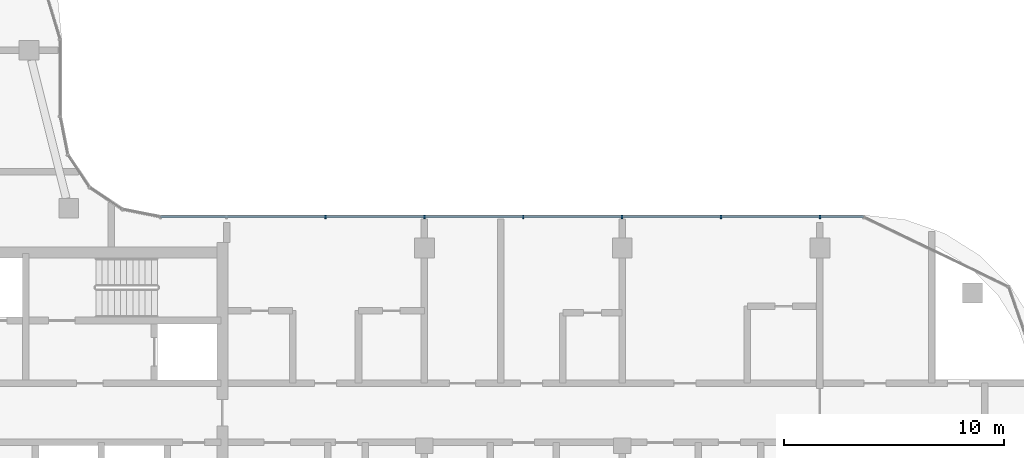
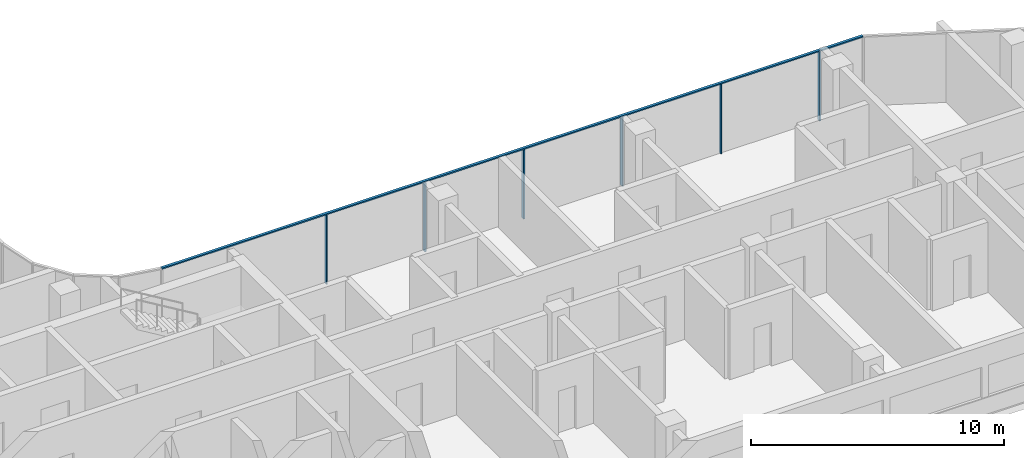
# One storey, part 4 of 19: 7 members, 1 element without a shape of its own.
"""IFC4 building model written with IfcOpenShell, lengths in metres."""

import ifcopenshell
import ifcopenshell.guid

model = None  # the IFC model being written
_history = None  # IfcOwnerHistory: only IFC2X3 demands one
_inside = {}  # id of a spatial element -> (the spatial element, [elements in it])
_under = {}  # id of a project, library or spatial element -> (it, [spatial elements below it])
_declared = {}  # id of a project -> (the project, [libraries it declares])
_typed = {}  # id of a type object -> (the type object, [elements of that type])
_made_of = {}  # id of a material, layer set ... -> (it, [elements and type objects made of it])


def new_model(schema):
    """Start an empty IFC model of exactly this schema.

    Asked for "IFC4X3", IfcOpenShell would pick the latest addendum, in which some entities
    have other attributes; the version numbers below select the first issue.
    IFC2X3 requires an IfcOwnerHistory on every rooted entity: one is made here for all.
    """
    global model, _history
    if schema == "IFC4X3":
        model = ifcopenshell.file(schema_version=(4, 3, 0, 0))
    else:
        model = ifcopenshell.file(schema=schema)
    _inside.clear()
    _under.clear()
    _declared.clear()
    _typed.clear()
    _made_of.clear()
    _history = None
    if model.schema == "IFC2X3":
        org = make("IfcOrganization", Name="unknown")
        user = make(
            "IfcPersonAndOrganization",
            ThePerson=make("IfcPerson", FamilyName="unknown"),
            TheOrganization=org,
        )
        app = make(
            "IfcApplication",
            ApplicationDeveloper=org,
            Version="unknown",
            ApplicationFullName="unknown",
            ApplicationIdentifier="unknown",
        )
        _history = make(
            "IfcOwnerHistory",
            OwningUser=user,
            OwningApplication=app,
            ChangeAction="ADDED",
            CreationDate=0,
        )
    return model


def make(cls, **values):
    """One entity of the class cls with the attributes given. An attribute that is None is left unset."""
    return model.create_entity(
        cls, **{name: value for name, value in values.items() if value is not None}
    )


def rooted(cls, **values):
    """An entity with a GlobalId (a new one), such as an element, a storey or a relation."""
    return make(cls, GlobalId=ifcopenshell.guid.new(), OwnerHistory=_history, **values)


def si_unit(unit_type, name, prefix=None):
    """IfcSIUnit, for example si_unit("LENGTHUNIT", "METRE", prefix="MILLI")."""
    return make("IfcSIUnit", UnitType=unit_type, Prefix=prefix, Name=name)


def assignment(units):
    """IfcUnitAssignment: the units of a project."""
    return None if units is None else make("IfcUnitAssignment", Units=units)


def point(xyz):
    """IfcCartesianPoint."""
    return None if xyz is None else make("IfcCartesianPoint", Coordinates=xyz)


def direction(xyz):
    """IfcDirection."""
    return None if xyz is None else make("IfcDirection", DirectionRatios=xyz)


def frame(location, z_axis=None, x_axis=None):
    """IfcAxis2Placement3D, a coordinate frame: its origin and axes. An axis left out is left unset."""
    return make(
        "IfcAxis2Placement3D",
        Location=point(location),
        Axis=direction(z_axis),
        RefDirection=direction(x_axis),
    )


def frame_2d(location, x_axis=None):
    """IfcAxis2Placement2D, a coordinate frame in the plane: its origin and x axis."""
    return make(
        "IfcAxis2Placement2D", Location=point(location), RefDirection=direction(x_axis)
    )


def origin():
    """The frame at (0, 0, 0) with its axes left unset."""
    return frame((0.0, 0.0, 0.0))


def origin_2d():
    """The frame at (0, 0) in the plane with its x axis left unset."""
    return frame_2d((0.0, 0.0))


def place(relative_to, where):
    """IfcLocalPlacement: puts the frame where relative to a parent placement (None: the world)."""
    return make(
        "IfcLocalPlacement", PlacementRelTo=relative_to, RelativePlacement=where
    )


def context(
    kind, dimensions, precision=None, world=None, true_north=None, identifier=None
):
    """IfcGeometricRepresentationContext, for example the 3D "Model" context."""
    return make(
        "IfcGeometricRepresentationContext",
        ContextIdentifier=identifier,
        ContextType=kind,
        CoordinateSpaceDimension=dimensions,
        Precision=precision,
        WorldCoordinateSystem=world,
        TrueNorth=true_north,
    )


def subcontext(parent, identifier, kind, view, scale=None):
    """IfcGeometricRepresentationSubContext, for example "Body" below "Model"."""
    return make(
        "IfcGeometricRepresentationSubContext",
        ContextIdentifier=identifier,
        ContextType=kind,
        ParentContext=parent,
        TargetScale=scale,
        TargetView=view,
    )


def project(units=None, contexts=None):
    """IfcProject with its units and contexts."""
    return rooted(
        "IfcProject",
        Name="project",
        RepresentationContexts=contexts,
        UnitsInContext=assignment(units),
    )


def spatial(cls, under=None, at=None, **own):
    """A site, building, storey or space (cls), placed at a placement, below another one or the project."""
    s = rooted(cls, ObjectPlacement=at, **own)
    if under is not None:
        _under.setdefault(under.id(), (under, []))[1].append(s)
    return s


def profile(cls, at=None, kind="AREA", **sizes):
    """A parametric profile (cls). Its sizes go by their IFC names, for example OverallWidth=200.0."""
    return make(cls, ProfileType=kind, Position=at, **sizes)


def rectangle(**sizes):
    """IfcRectangleProfileDef."""
    return profile("IfcRectangleProfileDef", **sizes)


def extrude(swept, where, along, depth):
    """IfcExtrudedAreaSolid: the profile swept, set in the frame where, extruded along a direction by depth."""
    return make(
        "IfcExtrudedAreaSolid",
        SweptArea=swept,
        Position=where,
        ExtrudedDirection=direction(along),
        Depth=depth,
    )


def shape(context_of_items, identifier, shape_type, items):
    """IfcShapeRepresentation: the items that make up one representation, for example the "Body"."""
    return make(
        "IfcShapeRepresentation",
        ContextOfItems=context_of_items,
        RepresentationIdentifier=identifier,
        RepresentationType=shape_type,
        Items=items,
    )


def material(Name=None, Category=None):
    """IfcMaterial."""
    return make("IfcMaterial", Name=Name, Category=Category)


def material_profile(
    of_material, cross_section, Name=None, Category=None, Priority=None
):
    """IfcMaterialProfile: a cross section and its material."""
    return make(
        "IfcMaterialProfile",
        Name=Name,
        Material=of_material,
        Profile=cross_section,
        Priority=Priority,
        Category=Category,
    )


def profile_set(profiles, Name=None, composite=None):
    """IfcMaterialProfileSet."""
    return make(
        "IfcMaterialProfileSet",
        Name=Name,
        MaterialProfiles=profiles,
        CompositeProfile=composite,
    )


def made_of(thing, what):
    """Note that an element or type object is made of a material, layer set ...; save() writes the relation."""
    if what is not None:
        _made_of.setdefault(what.id(), (what, []))[1].append(thing)
    return thing


def type_object(cls, material=None, **own):
    """A type object (cls), such as IfcWallType, which elements share."""
    return made_of(rooted(cls, **own), material)


def element(
    cls,
    number,
    at=None,
    inside=None,
    cuts=None,
    type_object=None,
    material=None,
    context=None,
    identifier="Body",
    shape_type=None,
    held_by="IfcProductDefinitionShape",
    body=None,
    shapes=None,
    **own,
):
    """One element of the class cls, such as IfcWall. Its Tag is "e" and its number.

    at: its placement. inside: the storey or other place that contains it. cuts: it is an
    opening in that element (IfcRelVoidsElement). A single representation is given by context,
    identifier, shape_type and body (its items); several are given by shapes. held_by: the class
    of the entity that holds the representations. save() writes the other relations.
    """
    e = rooted(cls, Tag="e%d" % number, ObjectPlacement=at, **own)
    if body is not None:
        shapes = [shape(context, identifier, shape_type, body)]
    if shapes is not None:
        e.Representation = make(held_by, Representations=shapes)
    if inside is not None:
        _inside.setdefault(inside.id(), (inside, []))[1].append(e)
    if cuts is not None:
        rooted(
            "IfcRelVoidsElement", RelatingBuildingElement=cuts, RelatedOpeningElement=e
        )
    if type_object is not None:
        _typed.setdefault(type_object.id(), (type_object, []))[1].append(e)
    return made_of(e, material)


def aggregate(whole, parts):
    """IfcRelAggregates: a whole, such as a stair, and the parts it consists of."""
    return rooted("IfcRelAggregates", RelatingObject=whole, RelatedObjects=parts)


def save(model, path):
    """Write the relations noted so far, then the file.

    IfcRelAggregates (storeys below a building ...), IfcRelContainedInSpatialStructure (elements
    in a storey), IfcRelDefinesByType, IfcRelAssociatesMaterial and IfcRelDeclares: one each for
    every whole, place, type object, material and project.
    """
    for whole, parts in _under.values():
        aggregate(whole, parts)
    for where, things in _inside.values():
        rooted(
            "IfcRelContainedInSpatialStructure",
            RelatedElements=things,
            RelatingStructure=where,
        )
    for kind, things in _typed.values():
        rooted("IfcRelDefinesByType", RelatedObjects=things, RelatingType=kind)
    for what, things in _made_of.values():
        rooted("IfcRelAssociatesMaterial", RelatedObjects=things, RelatingMaterial=what)
    for by, libraries in _declared.values():
        rooted("IfcRelDeclares", RelatingContext=by, RelatedDefinitions=libraries)
    model.write(path)


model = new_model("IFC4")

# Units and contexts
model_context = context("Model", 3, precision=1e-05, world=origin(), true_north=direction((0.0, 1.0)))
body_context = subcontext(model_context, "Body", "Model", "MODEL_VIEW")
ifc_project = project(units=[si_unit("LENGTHUNIT", "METRE"), si_unit("AREAUNIT", "SQUARE_METRE"), si_unit("VOLUMEUNIT", "CUBIC_METRE"), si_unit("PLANEANGLEUNIT", "RADIAN"), si_unit("MASSUNIT", "GRAM", prefix="KILO")], contexts=[model_context])

# Site, building, storey
site_placement = place(None, origin())
site = spatial("IfcSite", under=ifc_project, at=site_placement, CompositionType="ELEMENT")
building_placement = place(site_placement, origin())
building = spatial("IfcBuilding", under=site, at=building_placement, Name="Ogive Portal Towers", CompositionType="ELEMENT")
storey_placement = place(building_placement, frame((0.0, 0.0, 229.10009765625)))
storey = spatial("IfcBuildingStorey", under=building, at=storey_placement, Name="L57", CompositionType="ELEMENT", Elevation=229.10009765625)

# Curtain wall, members
ifc_material_1 = material(Name="Glass, clear low-iron insulated glazing", Category="glass")
curtain_wall_type = type_object("IfcCurtainWallType", Name="CW FRONT RIBBON 4500", PredefinedType="NOTDEFINED", material=ifc_material_1)
curtain_wall_placement = place(storey_placement, origin())
curtain_wall = element("IfcCurtainWall", 1, at=curtain_wall_placement, inside=storey, type_object=curtain_wall_type, Name="A:L57:f12:cw0", PredefinedType="NOTDEFINED")
ifc_material_2 = material(Name="Aluminium 6063 anodised", Category="aluminium")
ifc_material_profile_1 = material_profile(ifc_material_2, rectangle(XDim=0.159912109375, YDim=0.06005859375, at=origin_2d()), Name="AL 60x160")
ifc_profile_set_1 = profile_set([ifc_material_profile_1], Name="Aluminium 6063 anodised")
member_type_1 = type_object("IfcMemberType", Name="CW MULLION 60x160", PredefinedType="MULLION", material=ifc_profile_set_1)
member_1_placement = place(storey_placement, frame((85.5, 40.919921875, 0.0), z_axis=(0.0, 0.0, 1.0), x_axis=(0.0, -1.0, 0.0)))
member_1 = element("IfcMember", 2, at=member_1_placement, type_object=member_type_1, Name="mullion", PredefinedType="MULLION", context=body_context, shape_type="SweptSolid", body=[
    extrude(rectangle(XDim=0.159912109375, YDim=0.06005859375, at=origin_2d()), origin(), (0.0, 0.0, 1.0), 3.33984375),
])
member_2_placement = place(storey_placement, frame((81.0, 40.919921875, 0.0), z_axis=(0.0, 0.0, 1.0), x_axis=(0.0, -1.0, 0.0)))
member_2 = element("IfcMember", 3, at=member_2_placement, type_object=member_type_1, Name="mullion", PredefinedType="MULLION", context=body_context, shape_type="SweptSolid", body=[
    extrude(rectangle(XDim=0.159912109375, YDim=0.06005859375, at=origin_2d()), origin(), (0.0, 0.0, 1.0), 3.33984375),
])
member_3_placement = place(storey_placement, frame((76.5, 40.919921875, 0.0), z_axis=(0.0, 0.0, 1.0), x_axis=(0.0, -1.0, 0.0)))
member_3 = element("IfcMember", 4, at=member_3_placement, type_object=member_type_1, Name="mullion", PredefinedType="MULLION", context=body_context, shape_type="SweptSolid", body=[
    extrude(rectangle(XDim=0.159912109375, YDim=0.06005859375, at=origin_2d()), origin(), (0.0, 0.0, 1.0), 3.33984375),
])
member_4_placement = place(storey_placement, frame((72.0, 40.919921875, 0.0), z_axis=(0.0, 0.0, 1.0), x_axis=(0.0, -1.0, 0.0)))
member_4 = element("IfcMember", 5, at=member_4_placement, type_object=member_type_1, Name="mullion", PredefinedType="MULLION", context=body_context, shape_type="SweptSolid", body=[
    extrude(rectangle(XDim=0.159912109375, YDim=0.06005859375, at=origin_2d()), origin(), (0.0, 0.0, 1.0), 3.33984375),
])
member_5_placement = place(storey_placement, frame((67.5, 40.919921875, 0.0), z_axis=(0.0, 0.0, 1.0), x_axis=(0.0, -1.0, 0.0)))
member_5 = element("IfcMember", 6, at=member_5_placement, type_object=member_type_1, Name="mullion", PredefinedType="MULLION", context=body_context, shape_type="SweptSolid", body=[
    extrude(rectangle(XDim=0.159912109375, YDim=0.06005859375, at=origin_2d()), origin(), (0.0, 0.0, 1.0), 3.33984375),
])
member_6_placement = place(storey_placement, frame((63.0, 40.919921875, 0.0), z_axis=(0.0, 0.0, 1.0), x_axis=(0.0, -1.0, 0.0)))
member_6 = element("IfcMember", 7, at=member_6_placement, type_object=member_type_1, Name="mullion", PredefinedType="MULLION", context=body_context, shape_type="SweptSolid", body=[
    extrude(rectangle(XDim=0.159912109375, YDim=0.06005859375, at=origin_2d()), origin(), (0.0, 0.0, 1.0), 3.33984375),
])
ifc_material_profile_2 = material_profile(ifc_material_2, rectangle(XDim=0.1201171875, YDim=0.06005859375, at=origin_2d()), Name="AL 120x60")
ifc_profile_set_2 = profile_set([ifc_material_profile_2], Name="Aluminium 6063 anodised")
member_type_2 = type_object("IfcMemberType", Name="CW TRANSOM 60x120", PredefinedType="USERDEFINED", material=ifc_profile_set_2)
member_7_placement = place(storey_placement, frame((87.481689453125, 40.919921875, 3.369873046875), z_axis=(-1.0, 0.0, 0.0), x_axis=(0.0, -1.0, 0.0)))
member_7 = element("IfcMember", 8, at=member_7_placement, type_object=member_type_2, Name="transom", ObjectType="TRANSOM", PredefinedType="USERDEFINED", context=body_context, shape_type="SweptSolid", body=[
    extrude(rectangle(XDim=0.1201171875, YDim=0.06005859375, at=origin_2d()), origin(), (0.0, 0.0, 1.0), 31.989501953125),
])
aggregate(curtain_wall, [member_7, member_1, member_2, member_3, member_4, member_5, member_6])

save(model, "model.ifc")
